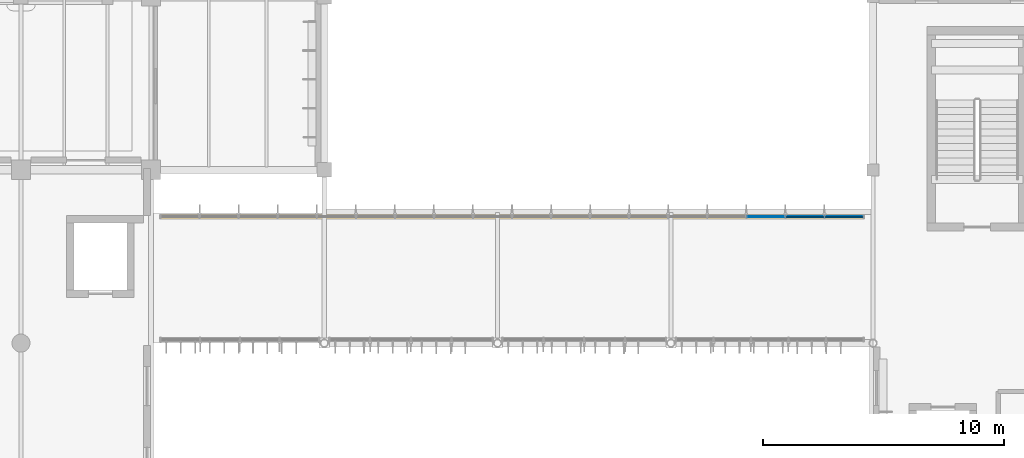
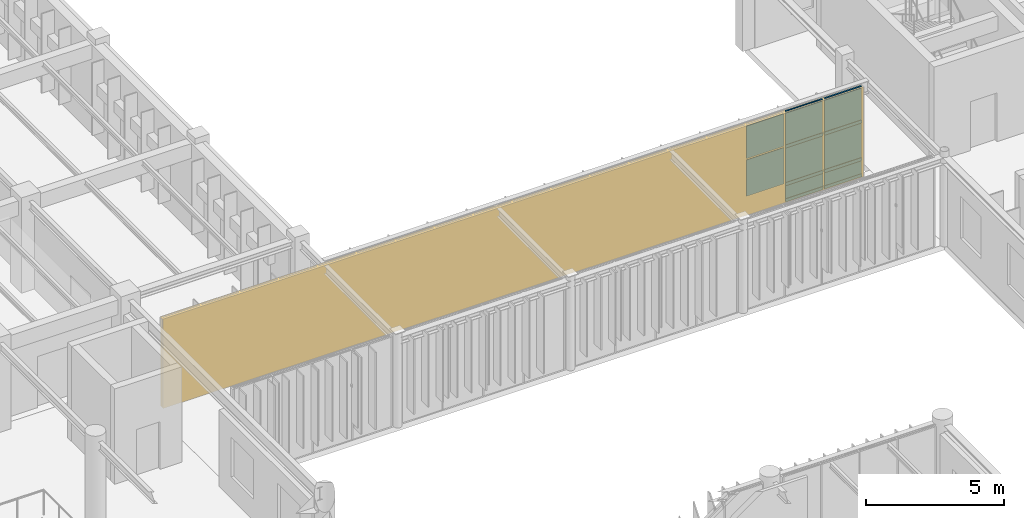
# One storey, part 93 of 122: 8 members, 8 plates, plus 1 element that does not belong to this part.
"""IFC4 building model written with IfcOpenShell, lengths in metres."""

import ifcopenshell
import ifcopenshell.guid

model = None  # the IFC model being written
_history = None  # IfcOwnerHistory: only IFC2X3 demands one
_inside = {}  # id of a spatial element -> (the spatial element, [elements in it])
_under = {}  # id of a project, library or spatial element -> (it, [spatial elements below it])
_declared = {}  # id of a project -> (the project, [libraries it declares])
_typed = {}  # id of a type object -> (the type object, [elements of that type])
_made_of = {}  # id of a material, layer set ... -> (it, [elements and type objects made of it])


def new_model(schema):
    """Start an empty IFC model of exactly this schema.

    Asked for "IFC4X3", IfcOpenShell would pick the latest addendum, in which some entities
    have other attributes; the version numbers below select the first issue.
    IFC2X3 requires an IfcOwnerHistory on every rooted entity: one is made here for all.
    """
    global model, _history
    if schema == "IFC4X3":
        model = ifcopenshell.file(schema_version=(4, 3, 0, 0))
    else:
        model = ifcopenshell.file(schema=schema)
    _inside.clear()
    _under.clear()
    _declared.clear()
    _typed.clear()
    _made_of.clear()
    _history = None
    if model.schema == "IFC2X3":
        org = make("IfcOrganization", Name="unknown")
        user = make(
            "IfcPersonAndOrganization",
            ThePerson=make("IfcPerson", FamilyName="unknown"),
            TheOrganization=org,
        )
        app = make(
            "IfcApplication",
            ApplicationDeveloper=org,
            Version="unknown",
            ApplicationFullName="unknown",
            ApplicationIdentifier="unknown",
        )
        _history = make(
            "IfcOwnerHistory",
            OwningUser=user,
            OwningApplication=app,
            ChangeAction="ADDED",
            CreationDate=0,
        )
    return model


def make(cls, **values):
    """One entity of the class cls with the attributes given. An attribute that is None is left unset."""
    return model.create_entity(
        cls, **{name: value for name, value in values.items() if value is not None}
    )


def rooted(cls, **values):
    """An entity with a GlobalId (a new one), such as an element, a storey or a relation."""
    return make(cls, GlobalId=ifcopenshell.guid.new(), OwnerHistory=_history, **values)


def si_unit(unit_type, name, prefix=None):
    """IfcSIUnit, for example si_unit("LENGTHUNIT", "METRE", prefix="MILLI")."""
    return make("IfcSIUnit", UnitType=unit_type, Prefix=prefix, Name=name)


def assignment(units):
    """IfcUnitAssignment: the units of a project."""
    return None if units is None else make("IfcUnitAssignment", Units=units)


def point(xyz):
    """IfcCartesianPoint."""
    return None if xyz is None else make("IfcCartesianPoint", Coordinates=xyz)


def direction(xyz):
    """IfcDirection."""
    return None if xyz is None else make("IfcDirection", DirectionRatios=xyz)


def frame(location, z_axis=None, x_axis=None):
    """IfcAxis2Placement3D, a coordinate frame: its origin and axes. An axis left out is left unset."""
    return make(
        "IfcAxis2Placement3D",
        Location=point(location),
        Axis=direction(z_axis),
        RefDirection=direction(x_axis),
    )


def frame_2d(location, x_axis=None):
    """IfcAxis2Placement2D, a coordinate frame in the plane: its origin and x axis."""
    return make(
        "IfcAxis2Placement2D", Location=point(location), RefDirection=direction(x_axis)
    )


def origin():
    """The frame at (0, 0, 0) with its axes left unset."""
    return frame((0.0, 0.0, 0.0))


def origin_2d():
    """The frame at (0, 0) in the plane with its x axis left unset."""
    return frame_2d((0.0, 0.0))


def place(relative_to, where):
    """IfcLocalPlacement: puts the frame where relative to a parent placement (None: the world)."""
    return make(
        "IfcLocalPlacement", PlacementRelTo=relative_to, RelativePlacement=where
    )


def context(
    kind, dimensions, precision=None, world=None, true_north=None, identifier=None
):
    """IfcGeometricRepresentationContext, for example the 3D "Model" context."""
    return make(
        "IfcGeometricRepresentationContext",
        ContextIdentifier=identifier,
        ContextType=kind,
        CoordinateSpaceDimension=dimensions,
        Precision=precision,
        WorldCoordinateSystem=world,
        TrueNorth=true_north,
    )


def subcontext(parent, identifier, kind, view, scale=None):
    """IfcGeometricRepresentationSubContext, for example "Body" below "Model"."""
    return make(
        "IfcGeometricRepresentationSubContext",
        ContextIdentifier=identifier,
        ContextType=kind,
        ParentContext=parent,
        TargetScale=scale,
        TargetView=view,
    )


def project(units=None, contexts=None):
    """IfcProject with its units and contexts."""
    return rooted(
        "IfcProject",
        Name="project",
        RepresentationContexts=contexts,
        UnitsInContext=assignment(units),
    )


def spatial(cls, under=None, at=None, **own):
    """A site, building, storey or space (cls), placed at a placement, below another one or the project."""
    s = rooted(cls, ObjectPlacement=at, **own)
    if under is not None:
        _under.setdefault(under.id(), (under, []))[1].append(s)
    return s


def profile(cls, at=None, kind="AREA", **sizes):
    """A parametric profile (cls). Its sizes go by their IFC names, for example OverallWidth=200.0."""
    return make(cls, ProfileType=kind, Position=at, **sizes)


def rectangle(**sizes):
    """IfcRectangleProfileDef."""
    return profile("IfcRectangleProfileDef", **sizes)


def extrude(swept, where, along, depth):
    """IfcExtrudedAreaSolid: the profile swept, set in the frame where, extruded along a direction by depth."""
    return make(
        "IfcExtrudedAreaSolid",
        SweptArea=swept,
        Position=where,
        ExtrudedDirection=direction(along),
        Depth=depth,
    )


def shape(context_of_items, identifier, shape_type, items):
    """IfcShapeRepresentation: the items that make up one representation, for example the "Body"."""
    return make(
        "IfcShapeRepresentation",
        ContextOfItems=context_of_items,
        RepresentationIdentifier=identifier,
        RepresentationType=shape_type,
        Items=items,
    )


def material(Name=None, Category=None):
    """IfcMaterial."""
    return make("IfcMaterial", Name=Name, Category=Category)


def layer(
    of_material, thickness, ventilated=None, Name=None, Category=None, Priority=None
):
    """IfcMaterialLayer: one layer of a wall or slab, of a material (None: an air gap)."""
    return make(
        "IfcMaterialLayer",
        Material=of_material,
        LayerThickness=thickness,
        IsVentilated=ventilated,
        Name=Name,
        Category=Category,
        Priority=Priority,
    )


def layer_set(layers, Name=None):
    """IfcMaterialLayerSet."""
    return make("IfcMaterialLayerSet", MaterialLayers=layers, LayerSetName=Name)


def material_profile(
    of_material, cross_section, Name=None, Category=None, Priority=None
):
    """IfcMaterialProfile: a cross section and its material."""
    return make(
        "IfcMaterialProfile",
        Name=Name,
        Material=of_material,
        Profile=cross_section,
        Priority=Priority,
        Category=Category,
    )


def profile_set(profiles, Name=None, composite=None):
    """IfcMaterialProfileSet."""
    return make(
        "IfcMaterialProfileSet",
        Name=Name,
        MaterialProfiles=profiles,
        CompositeProfile=composite,
    )


def made_of(thing, what):
    """Note that an element or type object is made of a material, layer set ...; save() writes the relation."""
    if what is not None:
        _made_of.setdefault(what.id(), (what, []))[1].append(thing)
    return thing


def type_object(cls, material=None, **own):
    """A type object (cls), such as IfcWallType, which elements share."""
    return made_of(rooted(cls, **own), material)


def element(
    cls,
    number,
    at=None,
    inside=None,
    cuts=None,
    type_object=None,
    material=None,
    context=None,
    identifier="Body",
    shape_type=None,
    held_by="IfcProductDefinitionShape",
    body=None,
    shapes=None,
    **own,
):
    """One element of the class cls, such as IfcWall. Its Tag is "e" and its number.

    at: its placement. inside: the storey or other place that contains it. cuts: it is an
    opening in that element (IfcRelVoidsElement). A single representation is given by context,
    identifier, shape_type and body (its items); several are given by shapes. held_by: the class
    of the entity that holds the representations. save() writes the other relations.
    """
    e = rooted(cls, Tag="e%d" % number, ObjectPlacement=at, **own)
    if body is not None:
        shapes = [shape(context, identifier, shape_type, body)]
    if shapes is not None:
        e.Representation = make(held_by, Representations=shapes)
    if inside is not None:
        _inside.setdefault(inside.id(), (inside, []))[1].append(e)
    if cuts is not None:
        rooted(
            "IfcRelVoidsElement", RelatingBuildingElement=cuts, RelatedOpeningElement=e
        )
    if type_object is not None:
        _typed.setdefault(type_object.id(), (type_object, []))[1].append(e)
    return made_of(e, material)


def aggregate(whole, parts):
    """IfcRelAggregates: a whole, such as a stair, and the parts it consists of."""
    return rooted("IfcRelAggregates", RelatingObject=whole, RelatedObjects=parts)


def save(model, path):
    """Write the relations noted so far, then the file.

    IfcRelAggregates (storeys below a building ...), IfcRelContainedInSpatialStructure (elements
    in a storey), IfcRelDefinesByType, IfcRelAssociatesMaterial and IfcRelDeclares: one each for
    every whole, place, type object, material and project.
    """
    for whole, parts in _under.values():
        aggregate(whole, parts)
    for where, things in _inside.values():
        rooted(
            "IfcRelContainedInSpatialStructure",
            RelatedElements=things,
            RelatingStructure=where,
        )
    for kind, things in _typed.values():
        rooted("IfcRelDefinesByType", RelatedObjects=things, RelatingType=kind)
    for what, things in _made_of.values():
        rooted("IfcRelAssociatesMaterial", RelatedObjects=things, RelatingMaterial=what)
    for by, libraries in _declared.values():
        rooted("IfcRelDeclares", RelatingContext=by, RelatedDefinitions=libraries)
    model.write(path)


model = new_model("IFC4")

# Units and contexts
model_context = context("Model", 3, precision=1e-05, world=origin(), true_north=direction((0.0, 1.0)))
body_context = subcontext(model_context, "Body", "Model", "MODEL_VIEW")
ifc_project = project(units=[si_unit("LENGTHUNIT", "METRE"), si_unit("AREAUNIT", "SQUARE_METRE"), si_unit("VOLUMEUNIT", "CUBIC_METRE"), si_unit("PLANEANGLEUNIT", "RADIAN"), si_unit("MASSUNIT", "GRAM", prefix="KILO")], contexts=[model_context])

# Member
ifc_material_1 = material(Name="Anodised Bronze Aluminium 6063-T6", Category="aluminium")
ifc_material_profile = material_profile(ifc_material_1, rectangle(XDim=0.06005859375, YDim=0.139892578125, at=origin_2d()), Name="ALU TRANSOM 60x140")
ifc_profile_set = profile_set([ifc_material_profile], Name="Anodised Bronze Aluminium 6063-T6")
member_type = type_object("IfcMemberType", Name="Curtain-Wall Transom 60x140", PredefinedType="USERDEFINED", material=ifc_profile_set)
site_placement = place(None, origin())
building_placement = place(site_placement, origin())
storey_placement = place(building_placement, frame((0.0, 0.0, 4.800048828125)))
member_1_placement = place(storey_placement, frame((121.79052734375, 49.85009765625, 0.0400390625), z_axis=(1.0, 0.0, 0.0), x_axis=(0.0, 1.0, 0.0)))
member_1 = element("IfcMember", 1, at=member_1_placement, type_object=member_type, Name="Transom CWT-01 CW-ELNK-N-L01-T17.1", ObjectType="TRANSOM", PredefinedType="USERDEFINED", context=body_context, shape_type="SweptSolid", body=[
    extrude(rectangle(XDim=0.06005859375, YDim=0.139892578125, at=origin_2d()), origin(), (0.0, 0.0, 1.0), 1.55224609375),
])

member_2_placement = place(storey_placement, frame((121.79052734375, 49.85009765625, 0.75), z_axis=(1.0, 0.0, 0.0), x_axis=(0.0, 1.0, 0.0)))
member_2 = element("IfcMember", 2, at=member_2_placement, type_object=member_type, Name="Transom CWT-01 CW-ELNK-N-L01-T17.2", ObjectType="TRANSOM", PredefinedType="USERDEFINED", context=body_context, shape_type="SweptSolid", body=[
    extrude(rectangle(XDim=0.06005859375, YDim=0.139892578125, at=origin_2d()), origin(), (0.0, 0.0, 1.0), 1.55224609375),
])

member_3_placement = place(storey_placement, frame((121.79052734375, 49.85009765625, 2.40869140625), z_axis=(1.0, 0.0, 0.0), x_axis=(0.0, 1.0, 0.0)))
member_3 = element("IfcMember", 3, at=member_3_placement, type_object=member_type, Name="Transom CWT-01 CW-ELNK-N-L01-T17.3", ObjectType="TRANSOM", PredefinedType="USERDEFINED", context=body_context, shape_type="SweptSolid", body=[
    extrude(rectangle(XDim=0.06005859375, YDim=0.139892578125, at=origin_2d()), origin(), (0.0, 0.0, 1.0), 1.55224609375),
])

member_4_placement = place(storey_placement, frame((121.79052734375, 49.85009765625, 3.89990234375), z_axis=(1.0, 0.0, 0.0), x_axis=(0.0, 1.0, 0.0)))
member_4 = element("IfcMember", 4, at=member_4_placement, type_object=member_type, Name="Transom CWT-01 CW-ELNK-N-L01-T17.4", ObjectType="TRANSOM", PredefinedType="USERDEFINED", context=body_context, shape_type="SweptSolid", body=[
    extrude(rectangle(XDim=0.06005859375, YDim=0.139892578125, at=origin_2d()), origin(), (0.0, 0.0, 1.0), 1.55224609375),
])

member_5_placement = place(storey_placement, frame((123.412841796875, 49.85009765625, 0.0400390625), z_axis=(1.0, 0.0, 0.0), x_axis=(0.0, 1.0, 0.0)))
member_5 = element("IfcMember", 5, at=member_5_placement, type_object=member_type, Name="Transom CWT-01 CW-ELNK-N-L01-T18.1", ObjectType="TRANSOM", PredefinedType="USERDEFINED", context=body_context, shape_type="SweptSolid", body=[
    extrude(rectangle(XDim=0.06005859375, YDim=0.139892578125, at=origin_2d()), origin(), (0.0, 0.0, 1.0), 1.55224609375),
])

member_6_placement = place(storey_placement, frame((123.412841796875, 49.85009765625, 0.75), z_axis=(1.0, 0.0, 0.0), x_axis=(0.0, 1.0, 0.0)))
member_6 = element("IfcMember", 6, at=member_6_placement, type_object=member_type, Name="Transom CWT-01 CW-ELNK-N-L01-T18.2", ObjectType="TRANSOM", PredefinedType="USERDEFINED", context=body_context, shape_type="SweptSolid", body=[
    extrude(rectangle(XDim=0.06005859375, YDim=0.139892578125, at=origin_2d()), origin(), (0.0, 0.0, 1.0), 1.55224609375),
])

member_7_placement = place(storey_placement, frame((123.412841796875, 49.85009765625, 2.40869140625), z_axis=(1.0, 0.0, 0.0), x_axis=(0.0, 1.0, 0.0)))
member_7 = element("IfcMember", 7, at=member_7_placement, type_object=member_type, Name="Transom CWT-01 CW-ELNK-N-L01-T18.3", ObjectType="TRANSOM", PredefinedType="USERDEFINED", context=body_context, shape_type="SweptSolid", body=[
    extrude(rectangle(XDim=0.06005859375, YDim=0.139892578125, at=origin_2d()), origin(), (0.0, 0.0, 1.0), 1.55224609375),
])

member_8_placement = place(storey_placement, frame((123.412841796875, 49.85009765625, 3.89990234375), z_axis=(1.0, 0.0, 0.0), x_axis=(0.0, 1.0, 0.0)))
member_8 = element("IfcMember", 8, at=member_8_placement, type_object=member_type, Name="Transom CWT-01 CW-ELNK-N-L01-T18.4", ObjectType="TRANSOM", PredefinedType="USERDEFINED", context=body_context, shape_type="SweptSolid", body=[
    extrude(rectangle(XDim=0.06005859375, YDim=0.139892578125, at=origin_2d()), origin(), (0.0, 0.0, 1.0), 1.55224609375),
])

# Plate
ifc_material_2 = material(Name="Insulated Bronze Aluminium Spandrel Panel", Category="aluminium")
ifc_layer_1 = layer(ifc_material_2, 0.050048828125, Name="Insulated Bronze Aluminium Spandrel Panel")
ifc_layer_set_1 = layer_set([ifc_layer_1], Name="Insulated Bronze Aluminium Spandrel Panel")
plate_type_1 = type_object("IfcPlateType", Name="Insulated Anodised Aluminium Spandrel Cassette 50", PredefinedType="CURTAIN_PANEL", material=ifc_layer_set_1)
plate_1_placement = place(storey_placement, frame((122.566650390625, 49.85009765625, 0.070068359375), z_axis=(0.0, 0.0, 1.0), x_axis=(1.0, 0.0, 0.0)))
plate_1 = element("IfcPlate", 9, at=plate_1_placement, type_object=plate_type_1, Name="Curtain Panel CWP-03 CW-ELNK-N-L01-P17.1", PredefinedType="CURTAIN_PANEL", context=body_context, shape_type="SweptSolid", body=[
    extrude(rectangle(XDim=1.55224609375, YDim=0.050048828125, at=origin_2d()), origin(), (0.0, 0.0, 1.0), 0.64990234375),
])

plate_2_placement = place(storey_placement, frame((124.18896484375, 49.85009765625, 0.070068359375), z_axis=(0.0, 0.0, 1.0), x_axis=(1.0, 0.0, 0.0)))
plate_2 = element("IfcPlate", 10, at=plate_2_placement, type_object=plate_type_1, Name="Curtain Panel CWP-03 CW-ELNK-N-L01-P18.1", PredefinedType="CURTAIN_PANEL", context=body_context, shape_type="SweptSolid", body=[
    extrude(rectangle(XDim=1.55224609375, YDim=0.050048828125, at=origin_2d()), origin(), (0.0, 0.0, 1.0), 0.64990234375),
])

ifc_material_3 = material(Name="Solar-Control Tempered Double Glazing", Category="glass")
ifc_layer_2 = layer(ifc_material_3, 0.0380859375, Name="Solar-Control Tempered Double Glazing")
ifc_layer_set_2 = layer_set([ifc_layer_2], Name="Solar-Control Tempered Double Glazing")
plate_type_2 = type_object("IfcPlateType", Name="Solar-Control Vision Glazing Unit 38", PredefinedType="CURTAIN_PANEL", material=ifc_layer_set_2)
plate_3_placement = place(storey_placement, frame((120.9443359375, 49.85009765625, 0.77978515625), z_axis=(0.0, 0.0, 1.0), x_axis=(1.0, 0.0, 0.0)))
plate_3 = element("IfcPlate", 11, at=plate_3_placement, type_object=plate_type_2, Name="Curtain Panel CWP-02 CW-ELNK-N-L01-P16.2", PredefinedType="CURTAIN_PANEL", context=body_context, shape_type="SweptSolid", body=[
    extrude(rectangle(XDim=1.55224609375, YDim=0.0380859375, at=origin_2d()), origin(), (0.0, 0.0, 1.0), 1.598876953125),
])

plate_4_placement = place(storey_placement, frame((120.9443359375, 49.85009765625, 2.438720703125), z_axis=(0.0, 0.0, 1.0), x_axis=(1.0, 0.0, 0.0)))
plate_4 = element("IfcPlate", 12, at=plate_4_placement, type_object=plate_type_2, Name="Curtain Panel CWP-02 CW-ELNK-N-L01-P16.3", PredefinedType="CURTAIN_PANEL", context=body_context, shape_type="SweptSolid", body=[
    extrude(rectangle(XDim=1.55224609375, YDim=0.0380859375, at=origin_2d()), origin(), (0.0, 0.0, 1.0), 1.43115234375),
])

plate_5_placement = place(storey_placement, frame((122.566650390625, 49.85009765625, 0.77978515625), z_axis=(0.0, 0.0, 1.0), x_axis=(1.0, 0.0, 0.0)))
plate_5 = element("IfcPlate", 13, at=plate_5_placement, type_object=plate_type_2, Name="Curtain Panel CWP-02 CW-ELNK-N-L01-P17.2", PredefinedType="CURTAIN_PANEL", context=body_context, shape_type="SweptSolid", body=[
    extrude(rectangle(XDim=1.55224609375, YDim=0.0380859375, at=origin_2d()), origin(), (0.0, 0.0, 1.0), 1.598876953125),
])

plate_6_placement = place(storey_placement, frame((122.566650390625, 49.85009765625, 2.438720703125), z_axis=(0.0, 0.0, 1.0), x_axis=(1.0, 0.0, 0.0)))
plate_6 = element("IfcPlate", 14, at=plate_6_placement, type_object=plate_type_2, Name="Curtain Panel CWP-02 CW-ELNK-N-L01-P17.3", PredefinedType="CURTAIN_PANEL", context=body_context, shape_type="SweptSolid", body=[
    extrude(rectangle(XDim=1.55224609375, YDim=0.0380859375, at=origin_2d()), origin(), (0.0, 0.0, 1.0), 1.43115234375),
])

plate_7_placement = place(storey_placement, frame((124.18896484375, 49.85009765625, 0.77978515625), z_axis=(0.0, 0.0, 1.0), x_axis=(1.0, 0.0, 0.0)))
plate_7 = element("IfcPlate", 15, at=plate_7_placement, type_object=plate_type_2, Name="Curtain Panel CWP-02 CW-ELNK-N-L01-P18.2", PredefinedType="CURTAIN_PANEL", context=body_context, shape_type="SweptSolid", body=[
    extrude(rectangle(XDim=1.55224609375, YDim=0.0380859375, at=origin_2d()), origin(), (0.0, 0.0, 1.0), 1.598876953125),
])

plate_8_placement = place(storey_placement, frame((124.18896484375, 49.85009765625, 2.438720703125), z_axis=(0.0, 0.0, 1.0), x_axis=(1.0, 0.0, 0.0)))
plate_8 = element("IfcPlate", 16, at=plate_8_placement, type_object=plate_type_2, Name="Curtain Panel CWP-02 CW-ELNK-N-L01-P18.3", PredefinedType="CURTAIN_PANEL", context=body_context, shape_type="SweptSolid", body=[
    extrude(rectangle(XDim=1.55224609375, YDim=0.0380859375, at=origin_2d()), origin(), (0.0, 0.0, 1.0), 1.43115234375),
])

# Site, building, storey
site = spatial("IfcSite", under=ifc_project, at=site_placement, CompositionType="ELEMENT")
building = spatial("IfcBuilding", under=site, at=building_placement, Name="Tazoul Stagehouse", CompositionType="ELEMENT")
storey = spatial("IfcBuildingStorey", under=building, at=storey_placement, Name="L01", CompositionType="ELEMENT", Elevation=4.800048828125)

# Curtain wall
curtain_wall_type = type_object("IfcCurtainWallType", Name="Atrium Clerestory Glazed Wall", PredefinedType="NOTDEFINED", material=ifc_material_1)
curtain_wall_placement = place(storey_placement, frame((95.800048828125, 49.85009765625, 0.0), z_axis=(0.0, 0.0, 1.0), x_axis=(1.0, 0.0, 0.0)))
curtain_wall = element("IfcCurtainWall", 17, at=curtain_wall_placement, inside=storey, type_object=curtain_wall_type, Name="L01 Curtain Wall CW-05 (CW-ELNK-N-L01)", PredefinedType="NOTDEFINED", context=body_context, shape_type="SweptSolid", body=[
    extrude(rectangle(XDim=29.199951171875, YDim=0.179931640625, at=frame_2d((14.60009765625, 0.0))), origin(), (0.0, 0.0, 1.0), 3.93994140625),
])

aggregate(curtain_wall, [plate_3, plate_4, member_1, member_2, member_3, member_4, plate_1, plate_5, plate_6, member_5, member_6, member_7, member_8, plate_2, plate_7, plate_8])

save(model, "model.ifc")
